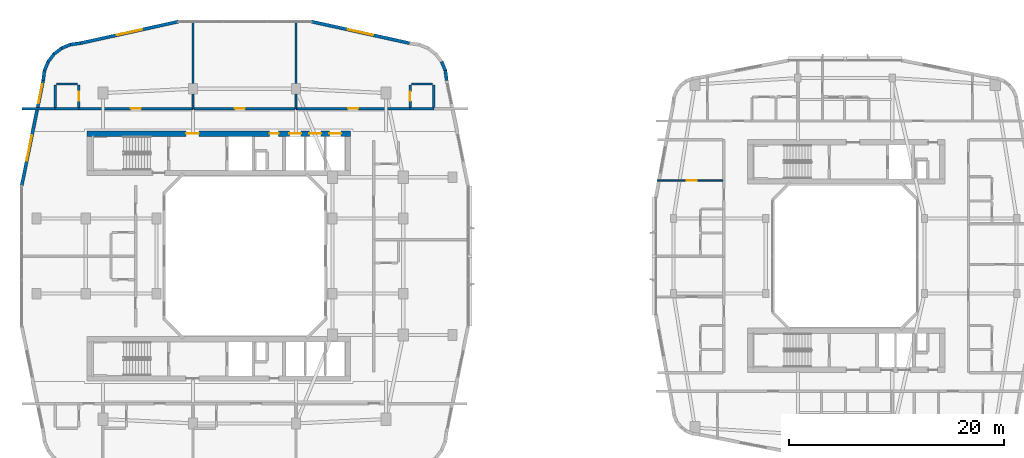
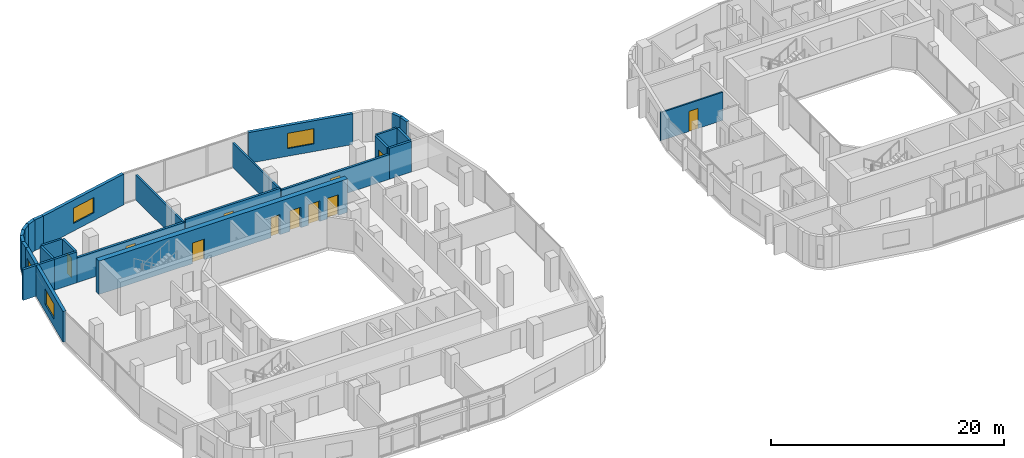
# One storey, part 15 of 25: 27 walls, 11 doors, 4 windows, 15 openings.
"""IFC4 building model written with IfcOpenShell, lengths in metres."""

from ifc_helpers import new_model, si_unit, derived_unit, direction, frame, frame_2d, origin, place, context, subcontext, project, spatial, rectangle, extrude, material, layer, layer_set, type_object, element, fill, save


model = new_model("IFC4")

# Units and contexts
model_context = context("Model", 3, precision=1e-05, world=origin(), true_north=direction((0.0, 1.0)))
body_context = subcontext(model_context, "Body", "Model", "MODEL_VIEW")
ifc_project = project(units=[si_unit("LENGTHUNIT", "METRE"), si_unit("AREAUNIT", "SQUARE_METRE"), si_unit("VOLUMEUNIT", "CUBIC_METRE"), si_unit("PLANEANGLEUNIT", "RADIAN"), si_unit("MASSUNIT", "GRAM", prefix="KILO"), derived_unit("THERMALTRANSMITTANCEUNIT", [(si_unit("POWERUNIT", "WATT"), 1), (si_unit("LENGTHUNIT", "METRE"), -2), (si_unit("THERMODYNAMICTEMPERATUREUNIT", "KELVIN"), -1)])], contexts=[model_context])

# Site, building, storey
site_placement = place(None, origin())
site = spatial("IfcSite", under=ifc_project, at=site_placement, CompositionType="ELEMENT")
building_placement = place(site_placement, origin())
building = spatial("IfcBuilding", under=site, at=building_placement, Name="Kivonza Crest Hotel", CompositionType="ELEMENT")
storey_placement = place(building_placement, frame((0.0, 0.0, 83.5)))
storey = spatial("IfcBuildingStorey", under=building, at=storey_placement, Name="L22", CompositionType="ELEMENT", Elevation=83.5)

# Walls
ifc_material_1 = material(Name="High-density acoustic masonry inter-tenancy wall", Category="masonry")
ifc_layer_1 = layer(ifc_material_1, 0.179931640625)
ifc_layer_set_1 = layer_set([ifc_layer_1], Name="High-density acoustic masonry inter-tenancy wall")
wall_type_1 = type_object("IfcWallType", Name="WL-ACOU-180", PredefinedType="SOLIDWALL", material=ifc_layer_set_1)
for number, where, z_axis, x_axis, name in (
    (1, (16.199951171875, 38.75, 0.0), (0.0, 0.0, 1.0), (0.0, 1.0, 0.0), "L22 interior partition WA-L22-T1N-DIV1"),
    (2, (25.800048828125, 38.75, 0.0), (0.0, 0.0, 1.0), (0.0, 1.0, 0.0), "L22 interior partition WA-L22-T1N-DIV2"),
):
    element("IfcWall", number, at=place(storey_placement, frame(where, z_axis=z_axis, x_axis=x_axis)), inside=storey, type_object=wall_type_1, Name=name, PredefinedType="SOLIDWALL", context=body_context, shape_type="SweptSolid", body=[
        extrude(rectangle(XDim=8.18994140625, YDim=0.179931640625, at=frame_2d((4.094970703125, 0.0))), origin(), (0.0, 0.0, 1.0), 2.594970703125),
    ])
ifc_material_2 = material(Name="Autoclaved aerated concrete blockwork", Category="masonry")
ifc_layer_2 = layer(ifc_material_2, 0.219970703125)
ifc_layer_set_2 = layer_set([ifc_layer_2], Name="Autoclaved aerated concrete blockwork")
wall_type_2 = type_object("IfcWallType", Name="WL-ACOU-220", PredefinedType="SOLIDWALL", material=ifc_layer_set_2)
wall_1_placement = place(storey_placement, frame((0.239990234375, 38.75, 0.0), z_axis=(0.0, 0.0, 1.0), x_axis=(1.0, 0.0, 0.0)))
element("IfcWall", 3, at=wall_1_placement, inside=storey, type_object=wall_type_2, Name="L22 interior partition WA-L22-N01-XCORR", PredefinedType="SOLIDWALL", context=body_context, shape_type="SweptSolid", body=[
    extrude(rectangle(XDim=3.110107421875, YDim=0.219970703125, at=frame_2d((1.55517578125, 0.0))), origin(), (0.0, 0.0, 1.0), 3.219970703125),
])
wall_2_placement = place(storey_placement, frame((3.35009765625, 38.75, 0.0), z_axis=(0.0, 0.0, 1.0), x_axis=(1.0, 0.0, 0.0)))
element("IfcWall", 4, at=wall_2_placement, inside=storey, type_object=wall_type_2, Name="L22 interior partition WA-L22-N01-BCORR", PredefinedType="SOLIDWALL", context=body_context, shape_type="SweptSolid", body=[
    extrude(rectangle(XDim=2.199951171875, YDim=0.219970703125, at=frame_2d((1.10009765625, 0.0))), origin(), (0.0, 0.0, 1.0), 3.219970703125),
])

# Wall, opening, door
wall_3_placement = place(storey_placement, frame((5.550048828125, 38.75, 0.0), z_axis=(0.0, 0.0, 1.0), x_axis=(1.0, 0.0, 0.0)))
wall_3 = element("IfcWall", 5, at=wall_3_placement, inside=storey, type_object=wall_type_2, Name="L22 interior partition WA-L22-N01-MCORR", PredefinedType="SOLIDWALL", context=body_context, shape_type="SweptSolid", body=[
    extrude(rectangle(XDim=10.64990234375, YDim=0.219970703125, at=frame_2d((5.324951171875, 0.0))), origin(), (0.0, 0.0, 1.0), 2.594970703125),
])
opening_1_placement = place(wall_3_placement, frame((4.85009765625, 0.0, 0.0)))
opening_1 = element("IfcOpeningElement", 6, at=opening_1_placement, cuts=wall_3, Name="Opening DU-60", PredefinedType="OPENING", context=body_context, shape_type="SweptSolid", body=[
    extrude(rectangle(XDim=0.949951171875, YDim=2.10009765625, at=frame_2d((0.47509765625, 1.050048828125))), frame((0.0, 0.1201171875, 0.0), z_axis=(0.0, -1.0, 0.0), x_axis=(1.0, 0.0, 0.0)), (0.0, 0.0, 1.0), 0.239990234375),
])
ifc_material_3 = material(Name="Hardwood timber oak", Category="wood")
door_type_1 = type_object("IfcDoorType", Name="DR-UNIT-950", OperationType="NOTDEFINED", PredefinedType="DOOR", material=ifc_material_3)
door_1_placement = place(opening_1_placement, origin())
door_1 = element("IfcDoor", 7, at=door_1_placement, inside=storey, type_object=door_type_1, Name="L22 N01 guest unit entrance fire door", OperationType="SINGLE_SWING_LEFT", OverallHeight=2.10009765625, OverallWidth=0.949951171875, PredefinedType="DOOR", context=body_context, shape_type="SweptSolid", body=[
    extrude(rectangle(XDim=0.949951171875, YDim=2.10009765625, at=frame_2d((0.47509765625, 1.050048828125))), frame((0.0, 0.02490234375, 0.0), z_axis=(0.0, -1.0, 0.0), x_axis=(1.0, 0.0, 0.0)), (0.0, 0.0, 1.0), 0.050048828125),
])
fill(opening_1, door_1)

wall_4_placement = place(storey_placement, frame((16.300048828125, 38.75, 0.0), z_axis=(0.0, 0.0, 1.0), x_axis=(1.0, 0.0, 0.0)))
wall_4 = element("IfcWall", 8, at=wall_4_placement, inside=storey, type_object=wall_type_2, Name="L22 interior partition WA-L22-HK-MAIN-S", PredefinedType="SOLIDWALL", context=body_context, shape_type="SweptSolid", body=[
    extrude(rectangle(XDim=9.39990234375, YDim=0.219970703125, at=frame_2d((4.699951171875, 0.0))), origin(), (0.0, 0.0, 1.0), 2.8349609375),
])
opening_2_placement = place(wall_4_placement, frame((3.79296875, 0.0, 0.0)))
opening_2 = element("IfcOpeningElement", 9, at=opening_2_placement, cuts=wall_4, Name="Opening DF-60S", PredefinedType="OPENING", context=body_context, shape_type="SweptSolid", body=[
    extrude(rectangle(XDim=0.949951171875, YDim=2.10009765625, at=frame_2d((0.47509765625, 1.050048828125))), frame((0.0, 0.1201171875, 0.0), z_axis=(0.0, -1.0, 0.0), x_axis=(1.0, 0.0, 0.0)), (0.0, 0.0, 1.0), 0.239990234375),
])
door_type_2 = type_object("IfcDoorType", Name="DR-FD60-950", OperationType="NOTDEFINED", PredefinedType="DOOR", material=ifc_material_3)
door_2_placement = place(opening_2_placement, origin())
door_2 = element("IfcDoor", 10, at=door_2_placement, inside=storey, type_object=door_type_2, Name="L22 Housekeeping and Linen Room door", OperationType="SINGLE_SWING_RIGHT", OverallHeight=2.10009765625, OverallWidth=0.949951171875, PredefinedType="DOOR", context=body_context, shape_type="SweptSolid", body=[
    extrude(rectangle(XDim=0.949951171875, YDim=2.10009765625, at=frame_2d((0.47509765625, 1.050048828125))), frame((0.0, 0.02490234375, 0.0), z_axis=(0.0, -1.0, 0.0), x_axis=(1.0, 0.0, 0.0)), (0.0, 0.0, 1.0), 0.050048828125),
])
fill(opening_2, door_2)

# Wall
wall_5_placement = place(storey_placement, frame((36.449951171875, 38.75, 0.0), z_axis=(0.0, 0.0, 1.0), x_axis=(1.0, 0.0, 0.0)))
element("IfcWall", 11, at=wall_5_placement, inside=storey, type_object=wall_type_2, Name="L22 interior partition WA-L22-N02-BCORR", PredefinedType="SOLIDWALL", context=body_context, shape_type="SweptSolid", body=[
    extrude(rectangle(XDim=2.199951171875, YDim=0.219970703125, at=frame_2d((1.10009765625, 0.0))), origin(), (0.0, 0.0, 1.0), 3.219970703125),
])

# Wall, opening, door
wall_6_placement = place(storey_placement, frame((25.800048828125, 38.75, 0.0), z_axis=(0.0, 0.0, 1.0), x_axis=(1.0, 0.0, 0.0)))
wall_6 = element("IfcWall", 12, at=wall_6_placement, inside=storey, type_object=wall_type_2, Name="L22 interior partition WA-L22-N02-MCORR", PredefinedType="SOLIDWALL", context=body_context, shape_type="SweptSolid", body=[
    extrude(rectangle(XDim=10.64990234375, YDim=0.219970703125, at=frame_2d((5.324951171875, 0.0))), origin(), (0.0, 0.0, 1.0), 2.594970703125),
])
opening_3_placement = place(wall_6_placement, frame((4.85009765625, 0.0, 0.0)))
opening_3 = element("IfcOpeningElement", 13, at=opening_3_placement, cuts=wall_6, Name="Opening DU-60", PredefinedType="OPENING", context=body_context, shape_type="SweptSolid", body=[
    extrude(rectangle(XDim=0.949951171875, YDim=2.10009765625, at=frame_2d((0.47509765625, 1.050048828125))), frame((0.0, 0.1201171875, 0.0), z_axis=(0.0, -1.0, 0.0), x_axis=(1.0, 0.0, 0.0)), (0.0, 0.0, 1.0), 0.239990234375),
])
door_3_placement = place(opening_3_placement, origin())
door_3 = element("IfcDoor", 14, at=door_3_placement, inside=storey, type_object=door_type_1, Name="L22 N02 guest unit entrance fire door", OperationType="SINGLE_SWING_RIGHT", OverallHeight=2.10009765625, OverallWidth=0.949951171875, PredefinedType="DOOR", context=body_context, shape_type="SweptSolid", body=[
    extrude(rectangle(XDim=0.949951171875, YDim=2.10009765625, at=frame_2d((0.47509765625, 1.050048828125))), frame((0.0, 0.02490234375, 0.0), z_axis=(0.0, -1.0, 0.0), x_axis=(1.0, 0.0, 0.0)), (0.0, 0.0, 1.0), 0.050048828125),
])
fill(opening_3, door_3)

# Wall, openings, doors
ifc_material_4 = material(Name="Concrete C60/75", Category="concrete")
ifc_layer_3 = layer(ifc_material_4, 0.5)
ifc_layer_set_3 = layer_set([ifc_layer_3], Name="Concrete C60/75")
wall_type_3 = type_object("IfcWallType", Name="WL-CORE-500", PredefinedType="SHEAR", material=ifc_layer_set_3)
wall_7_placement = place(storey_placement, frame((6.300048828125, 36.409912109375, 0.0), z_axis=(0.0, 0.0, 1.0), x_axis=(1.0, 0.0, 0.0)))
wall_7 = element("IfcWall", 15, at=wall_7_placement, inside=storey, type_object=wall_type_3, Name="Core wall T1-N North L22", PredefinedType="SHEAR", context=body_context, shape_type="SweptSolid", body=[
    extrude(rectangle(XDim=24.599853515625, YDim=0.5, at=frame_2d((12.2998046875, 0.0))), origin(), (0.0, 0.0, 1.0), 3.5),
])
opening_4_placement = place(wall_7_placement, frame((9.25, 0.0, 0.0)))
opening_4 = element("IfcOpeningElement", 16, at=opening_4_placement, cuts=wall_7, Name="Opening DF-60", PredefinedType="OPENING", context=body_context, shape_type="SweptSolid", body=[
    extrude(rectangle(XDim=1.199951171875, YDim=2.14990234375, at=frame_2d((0.60009765625, 1.074951171875))), frame((0.0, 0.260009765625, 0.0), z_axis=(0.0, -1.0, 0.0), x_axis=(1.0, 0.0, 0.0)), (0.0, 0.0, 1.0), 0.52001953125),
])
opening_5_placement = place(wall_7_placement, frame((17.0400390625, 0.0, 0.0)))
opening_5 = element("IfcOpeningElement", 17, at=opening_5_placement, cuts=wall_7, Name="Opening DF-60R", PredefinedType="OPENING", context=body_context, shape_type="SweptSolid", body=[
    extrude(rectangle(XDim=0.85009765625, YDim=2.10009765625, at=frame_2d((0.425048828125, 1.050048828125))), frame((0.0, 0.260009765625, 0.0), z_axis=(0.0, -1.0, 0.0), x_axis=(1.0, 0.0, 0.0)), (0.0, 0.0, 1.0), 0.52001953125),
])
opening_6_placement = place(wall_7_placement, frame((18.883056640625, 0.0, 0.0)))
opening_6 = element("IfcOpeningElement", 18, at=opening_6_placement, cuts=wall_7, Name="Opening LD-120", PredefinedType="OPENING", context=body_context, shape_type="SweptSolid", body=[
    extrude(rectangle(XDim=1.10009765625, YDim=2.14990234375, at=frame_2d((0.550048828125, 1.074951171875))), frame((0.0, 0.260009765625, 0.0), z_axis=(0.0, -1.0, 0.0), x_axis=(1.0, 0.0, 0.0)), (0.0, 0.0, 1.0), 0.52001953125),
])
opening_7_placement = place(wall_7_placement, frame((20.75, 0.0, 0.0)))
opening_7 = element("IfcOpeningElement", 19, at=opening_7_placement, cuts=wall_7, Name="Opening LD-120", PredefinedType="OPENING", context=body_context, shape_type="SweptSolid", body=[
    extrude(rectangle(XDim=1.10009765625, YDim=2.14990234375, at=frame_2d((0.550048828125, 1.074951171875))), frame((0.0, 0.260009765625, 0.0), z_axis=(0.0, -1.0, 0.0), x_axis=(1.0, 0.0, 0.0)), (0.0, 0.0, 1.0), 0.52001953125),
])
opening_8_placement = place(wall_7_placement, frame((22.615966796875, 0.0, 0.0)))
opening_8 = element("IfcOpeningElement", 20, at=opening_8_placement, cuts=wall_7, Name="Opening LD-120", PredefinedType="OPENING", context=body_context, shape_type="SweptSolid", body=[
    extrude(rectangle(XDim=1.10009765625, YDim=2.14990234375, at=frame_2d((0.550048828125, 1.074951171875))), frame((0.0, 0.260009765625, 0.0), z_axis=(0.0, -1.0, 0.0), x_axis=(1.0, 0.0, 0.0)), (0.0, 0.0, 1.0), 0.52001953125),
])
door_type_3 = type_object("IfcDoorType", Name="DR-FD60-1200", OperationType="NOTDEFINED", PredefinedType="DOOR", material=ifc_material_3)
door_4_placement = place(opening_4_placement, origin())
door_4 = element("IfcDoor", 21, at=door_4_placement, inside=storey, type_object=door_type_3, Name="L22 T1-N firefighting lobby fire door", OperationType="SINGLE_SWING_RIGHT", OverallHeight=2.14990234375, OverallWidth=1.199951171875, PredefinedType="DOOR", context=body_context, shape_type="SweptSolid", body=[
    extrude(rectangle(XDim=1.199951171875, YDim=2.14990234375, at=frame_2d((0.60009765625, 1.074951171875))), frame((0.0, 0.02490234375, 0.0), z_axis=(0.0, -1.0, 0.0), x_axis=(1.0, 0.0, 0.0)), (0.0, 0.0, 1.0), 0.050048828125),
])
fill(opening_4, door_4)
door_type_4 = type_object("IfcDoorType", Name="DR-FD60-850", OperationType="NOTDEFINED", PredefinedType="DOOR", material=ifc_material_3)
door_5_placement = place(opening_5_placement, origin())
door_5 = element("IfcDoor", 22, at=door_5_placement, inside=storey, type_object=door_type_4, Name="L22 T1-N core room door", OperationType="SINGLE_SWING_RIGHT", OverallHeight=2.10009765625, OverallWidth=0.85009765625, PredefinedType="DOOR", context=body_context, shape_type="SweptSolid", body=[
    extrude(rectangle(XDim=0.85009765625, YDim=2.10009765625, at=frame_2d((0.425048828125, 1.050048828125))), frame((0.0, 0.02490234375, 0.0), z_axis=(0.0, -1.0, 0.0), x_axis=(1.0, 0.0, 0.0)), (0.0, 0.0, 1.0), 0.050048828125),
])
fill(opening_5, door_5)
ifc_material_5 = material(Name="Stainless steel", Category="steel")
door_type_5 = type_object("IfcDoorType", Name="DR-LD120-1100", OperationType="NOTDEFINED", PredefinedType="DOOR", material=ifc_material_5)
door_6_placement = place(opening_6_placement, origin())
door_6 = element("IfcDoor", 23, at=door_6_placement, inside=storey, type_object=door_type_5, Name="L22 PL-T1-L1 passenger lift sliding landing door", OperationType="DOUBLE_DOOR_SLIDING", OverallHeight=2.14990234375, OverallWidth=1.10009765625, PredefinedType="DOOR", context=body_context, shape_type="SweptSolid", body=[
    extrude(rectangle(XDim=1.10009765625, YDim=2.14990234375, at=frame_2d((0.550048828125, 1.074951171875))), frame((0.0, 0.02490234375, 0.0), z_axis=(0.0, -1.0, 0.0), x_axis=(1.0, 0.0, 0.0)), (0.0, 0.0, 1.0), 0.050048828125),
])
fill(opening_6, door_6)
door_7_placement = place(opening_7_placement, origin())
door_7 = element("IfcDoor", 24, at=door_7_placement, inside=storey, type_object=door_type_5, Name="L22 PL-T1-L2 passenger lift sliding landing door", OperationType="DOUBLE_DOOR_SLIDING", OverallHeight=2.14990234375, OverallWidth=1.10009765625, PredefinedType="DOOR", context=body_context, shape_type="SweptSolid", body=[
    extrude(rectangle(XDim=1.10009765625, YDim=2.14990234375, at=frame_2d((0.550048828125, 1.074951171875))), frame((0.0, 0.02490234375, 0.0), z_axis=(0.0, -1.0, 0.0), x_axis=(1.0, 0.0, 0.0)), (0.0, 0.0, 1.0), 0.050048828125),
])
fill(opening_7, door_7)
door_8_placement = place(opening_8_placement, origin())
door_8 = element("IfcDoor", 25, at=door_8_placement, inside=storey, type_object=door_type_5, Name="L22 PL-T1-L3 passenger lift sliding landing door", OperationType="DOUBLE_DOOR_SLIDING", OverallHeight=2.14990234375, OverallWidth=1.10009765625, PredefinedType="DOOR", context=body_context, shape_type="SweptSolid", body=[
    extrude(rectangle(XDim=1.10009765625, YDim=2.14990234375, at=frame_2d((0.550048828125, 1.074951171875))), frame((0.0, 0.02490234375, 0.0), z_axis=(0.0, -1.0, 0.0), x_axis=(1.0, 0.0, 0.0)), (0.0, 0.0, 1.0), 0.050048828125),
])
fill(opening_8, door_8)

# Walls
ifc_material_6 = material(Name="Precast concrete C40/50", Category="concrete")
ifc_layer_4 = layer(ifc_material_6, 0.300048828125)
ifc_layer_set_4 = layer_set([ifc_layer_4], Name="Precast concrete C40/50")
wall_type_4 = type_object("IfcWallType", Name="WL-EXT-300", PredefinedType="STANDARD", material=ifc_layer_set_4)
wall_8_placement = place(storey_placement, frame((39.85205078125, 41.3720703125, 0.0), z_axis=(0.0, 0.0, 1.0), x_axis=(-0.131174864804, 0.991359246108, 0.0)))
element("IfcWall", 26, at=wall_8_placement, inside=storey, type_object=wall_type_4, Name="L22 T1 exterior insulated wall 19", PredefinedType="STANDARD", context=body_context, shape_type="SweptSolid", body=[
    extrude(rectangle(XDim=0.93798828125, YDim=0.300048828125, at=frame_2d((0.468994140625, 0.0))), origin(), (0.0, 0.0, 1.0), 3.219970703125),
])
wall_9_placement = place(storey_placement, frame((39.748046875, 42.251953125, 0.0), z_axis=(0.0, 0.0, 1.0), x_axis=(-0.382344263057, 0.924019948111, 0.0)))
element("IfcWall", 27, at=wall_9_placement, inside=storey, type_object=wall_type_4, Name="L22 T1 exterior insulated wall 20", PredefinedType="STANDARD", context=body_context, shape_type="SweptSolid", body=[
    extrude(rectangle(XDim=0.95458984375, YDim=0.300048828125, at=frame_2d((0.477294921875, 0.0))), origin(), (0.0, 0.0, 1.0), 3.219970703125),
])

# Wall, opening, window
wall_10_placement = place(storey_placement, frame((36.3759765625, 44.85205078125, 0.0), z_axis=(0.0, 0.0, 1.0), x_axis=(-0.97654500432, 0.215313386808, 0.0)))
wall_10 = element("IfcWall", 28, at=wall_10_placement, inside=storey, type_object=wall_type_4, Name="L22 T1 exterior insulated wall 25", PredefinedType="STANDARD", context=body_context, shape_type="SweptSolid", body=[
    extrude(rectangle(XDim=9.353515625, YDim=0.300048828125, at=frame_2d((4.6767578125, 0.0))), origin(), (0.0, 0.0, 1.0), 3.219970703125),
])
opening_9_placement = place(wall_10_placement, frame((3.47705078125, 0.0, 0.800048828125)))
opening_9 = element("IfcOpeningElement", 29, at=opening_9_placement, cuts=wall_10, Name="Opening WN-05", PredefinedType="OPENING", context=body_context, shape_type="SweptSolid", body=[
    extrude(rectangle(XDim=2.39990234375, YDim=1.60009765625, at=frame_2d((1.199951171875, 0.800048828125))), frame((0.0, 0.16015625, 0.0), z_axis=(0.0, -1.0, 0.0), x_axis=(1.0, 0.0, 0.0)), (0.0, 0.0, 1.0), 0.320068359375),
])
ifc_material_7 = material(Name="Thermally broken bronze aluminium and low-E double glazing", Category="aluminium")
window_type_1 = type_object("IfcWindowType", Name="WN-240x160", PartitioningType="TRIPLE_PANEL_VERTICAL", PredefinedType="WINDOW", material=ifc_material_7)
window_1_placement = place(opening_9_placement, origin())
window_1 = element("IfcWindow", 30, at=window_1_placement, inside=storey, type_object=window_type_1, Name="L22 T1 facade window 25", OverallHeight=1.60009765625, OverallWidth=2.39990234375, PartitioningType="SINGLE_PANEL", PredefinedType="WINDOW", context=body_context, shape_type="SweptSolid", body=[
    extrude(rectangle(XDim=2.39990234375, YDim=1.60009765625, at=frame_2d((1.199951171875, 0.800048828125))), frame((0.0, 0.030029296875, 0.0), z_axis=(0.0, -1.0, 0.0), x_axis=(1.0, 0.0, 0.0)), (0.0, 0.0, 1.0), 0.06005859375),
])
fill(opening_9, window_1)

wall_11_placement = place(storey_placement, frame((14.837890625, 46.865966796875, 0.0), z_axis=(0.0, 0.0, 1.0), x_axis=(-0.9765437942, -0.215318875183, 0.0)))
wall_11 = element("IfcWall", 31, at=wall_11_placement, inside=storey, type_object=wall_type_4, Name="L22 T1 exterior insulated wall 27", PredefinedType="STANDARD", context=body_context, shape_type="SweptSolid", body=[
    extrude(rectangle(XDim=9.353271484375, YDim=0.300048828125, at=frame_2d((4.6767578125, 0.0))), origin(), (0.0, 0.0, 1.0), 3.219970703125),
])
opening_10_placement = place(wall_11_placement, frame((3.47705078125, 0.0, 0.800048828125)))
opening_10 = element("IfcOpeningElement", 32, at=opening_10_placement, cuts=wall_11, Name="Opening WN-05", PredefinedType="OPENING", context=body_context, shape_type="SweptSolid", body=[
    extrude(rectangle(XDim=2.39990234375, YDim=1.60009765625, at=frame_2d((1.199951171875, 0.800048828125))), frame((0.0, 0.16015625, 0.0), z_axis=(0.0, -1.0, 0.0), x_axis=(1.0, 0.0, 0.0)), (0.0, 0.0, 1.0), 0.320068359375),
])
window_2_placement = place(opening_10_placement, origin())
window_2 = element("IfcWindow", 33, at=window_2_placement, inside=storey, type_object=window_type_1, Name="L22 T1 facade window 27", OverallHeight=1.60009765625, OverallWidth=2.39990234375, PartitioningType="SINGLE_PANEL", PredefinedType="WINDOW", context=body_context, shape_type="SweptSolid", body=[
    extrude(rectangle(XDim=2.39990234375, YDim=1.60009765625, at=frame_2d((1.199951171875, 0.800048828125))), frame((0.0, 0.030029296875, 0.0), z_axis=(0.0, -1.0, 0.0), x_axis=(1.0, 0.0, 0.0)), (0.0, 0.0, 1.0), 0.06005859375),
])
fill(opening_10, window_2)

# Walls
wall_12_placement = place(storey_placement, frame((5.7080078125, 44.85205078125, 0.0), z_axis=(0.0, 0.0, 1.0), x_axis=(-0.991359246108, -0.131174864804, 0.0)))
element("IfcWall", 34, at=wall_12_placement, inside=storey, type_object=wall_type_4, Name="L22 T1 exterior insulated wall 28", PredefinedType="STANDARD", context=body_context, shape_type="SweptSolid", body=[
    extrude(rectangle(XDim=0.93798828125, YDim=0.300048828125, at=frame_2d((0.468994140625, 0.0))), origin(), (0.0, 0.0, 1.0), 3.219970703125),
])
wall_13_placement = place(storey_placement, frame((4.827880859375, 44.748046875, 0.0), z_axis=(0.0, 0.0, 1.0), x_axis=(-0.923982547689, -0.382434636986, 0.0)))
element("IfcWall", 35, at=wall_13_placement, inside=storey, type_object=wall_type_4, Name="L22 T1 exterior insulated wall 29", PredefinedType="STANDARD", context=body_context, shape_type="SweptSolid", body=[
    extrude(rectangle(XDim=0.954345703125, YDim=0.300048828125, at=frame_2d((0.47705078125, 0.0))), origin(), (0.0, 0.0, 1.0), 3.219970703125),
])
for number, where, z_axis, x_axis, name in (
    (36, (3.990966796875, 44.4140625, 0.0), (0.0, 0.0, 1.0), (-0.793668068435, -0.608351047625, 0.0), "L22 T1 exterior insulated wall 30"),
    (37, (3.26806640625, 43.875, 0.0), (0.0, 0.0, 1.0), (-0.608351047625, -0.793668068435, 0.0), "L22 T1 exterior insulated wall 31"),
):
    element("IfcWall", number, at=place(storey_placement, frame(where, z_axis=z_axis, x_axis=x_axis)), inside=storey, type_object=wall_type_4, Name=name, PredefinedType="STANDARD", context=body_context, shape_type="SweptSolid", body=[
        extrude(rectangle(XDim=0.955078125, YDim=0.300048828125, at=frame_2d((0.4775390625, 0.0))), origin(), (0.0, 0.0, 1.0), 3.219970703125),
    ])
wall_14_placement = place(storey_placement, frame((2.7109375, 43.166015625, 0.0), z_axis=(0.0, 0.0, 1.0), x_axis=(-0.382344263057, -0.924019948111, 0.0)))
element("IfcWall", 38, at=wall_14_placement, inside=storey, type_object=wall_type_4, Name="L22 T1 exterior insulated wall 32", PredefinedType="STANDARD", context=body_context, shape_type="SweptSolid", body=[
    extrude(rectangle(XDim=0.95458984375, YDim=0.300048828125, at=frame_2d((0.477294921875, 0.0))), origin(), (0.0, 0.0, 1.0), 3.219970703125),
])
wall_15_placement = place(storey_placement, frame((2.35498046875, 42.3369140625, 0.0), z_axis=(0.0, 0.0, 1.0), x_axis=(-0.130454512571, -0.991454295543, 0.0)))
element("IfcWall", 39, at=wall_15_placement, inside=storey, type_object=wall_type_4, Name="L22 T1 exterior insulated wall 33", PredefinedType="STANDARD", context=body_context, shape_type="SweptSolid", body=[
    extrude(rectangle(XDim=0.97314453125, YDim=0.300048828125, at=frame_2d((0.486572265625, 0.0))), origin(), (0.0, 0.0, 1.0), 3.219970703125),
])

# Wall, openings, windows
wall_16_placement = place(storey_placement, frame((2.22900390625, 41.3779296875, 0.0), z_axis=(0.0, 0.0, 1.0), x_axis=(-0.199990901713, -0.979797754249, 0.0)))
wall_16 = element("IfcWall", 40, at=wall_16_placement, inside=storey, type_object=wall_type_4, Name="L22 T1 exterior insulated wall 34", PredefinedType="STANDARD", context=body_context, shape_type="SweptSolid", body=[
    extrude(rectangle(XDim=10.065185546875, YDim=0.300048828125, at=frame_2d((5.03271484375, 0.0))), origin(), (0.0, 0.0, 1.0), 3.219970703125),
])
opening_11_placement = place(wall_16_placement, frame((0.3779296875, 0.0, 0.85009765625)))
opening_11 = element("IfcOpeningElement", 41, at=opening_11_placement, cuts=wall_16, Name="Opening WN-03", PredefinedType="OPENING", context=body_context, shape_type="SweptSolid", body=[
    extrude(rectangle(XDim=1.800048828125, YDim=1.5, at=frame_2d((0.89990234375, 0.75))), frame((0.0, 0.16015625, 0.0), z_axis=(0.0, -1.0, 0.0), x_axis=(1.0, 0.0, 0.0)), (0.0, 0.0, 1.0), 0.320068359375),
])
opening_12_placement = place(wall_16_placement, frame((5.236083984375, 0.0, 0.800048828125)))
opening_12 = element("IfcOpeningElement", 42, at=opening_12_placement, cuts=wall_16, Name="Opening WN-05", PredefinedType="OPENING", context=body_context, shape_type="SweptSolid", body=[
    extrude(rectangle(XDim=2.39990234375, YDim=1.60009765625, at=frame_2d((1.199951171875, 0.800048828125))), frame((0.0, 0.16015625, 0.0), z_axis=(0.0, -1.0, 0.0), x_axis=(1.0, 0.0, 0.0)), (0.0, 0.0, 1.0), 0.320068359375),
])
window_type_2 = type_object("IfcWindowType", Name="WN-180x150", PartitioningType="DOUBLE_PANEL_VERTICAL", PredefinedType="WINDOW", material=ifc_material_7)
window_3_placement = place(opening_11_placement, origin())
window_3 = element("IfcWindow", 43, at=window_3_placement, inside=storey, type_object=window_type_2, Name="L22 T1 facade window 34 bay 1", OverallHeight=1.5, OverallWidth=1.800048828125, PartitioningType="SINGLE_PANEL", PredefinedType="WINDOW", context=body_context, shape_type="SweptSolid", body=[
    extrude(rectangle(XDim=1.800048828125, YDim=1.5, at=frame_2d((0.89990234375, 0.75))), frame((0.0, 0.030029296875, 0.0), z_axis=(0.0, -1.0, 0.0), x_axis=(1.0, 0.0, 0.0)), (0.0, 0.0, 1.0), 0.06005859375),
])
fill(opening_11, window_3)
window_4_placement = place(opening_12_placement, origin())
window_4 = element("IfcWindow", 44, at=window_4_placement, inside=storey, type_object=window_type_1, Name="L22 T1 facade window 34 bay 2", OverallHeight=1.60009765625, OverallWidth=2.39990234375, PartitioningType="SINGLE_PANEL", PredefinedType="WINDOW", context=body_context, shape_type="SweptSolid", body=[
    extrude(rectangle(XDim=2.39990234375, YDim=1.60009765625, at=frame_2d((1.199951171875, 0.800048828125))), frame((0.0, 0.030029296875, 0.0), z_axis=(0.0, -1.0, 0.0), x_axis=(1.0, 0.0, 0.0)), (0.0, 0.0, 1.0), 0.06005859375),
])
fill(opening_12, window_4)

# Wall, opening, door
ifc_material_8 = material(Name="Twin-stud acoustic gypsum board partition", Category="gypsum")
ifc_layer_5 = layer(ifc_material_8, 0.14990234375)
ifc_layer_set_5 = layer_set([ifc_layer_5], Name="Twin-stud acoustic gypsum board partition")
wall_type_5 = type_object("IfcWallType", Name="WL-PART-150", PredefinedType="PARTITIONING", material=ifc_layer_set_5)
wall_17_placement = place(storey_placement, frame((59.4599609375, 32.06005859375, 0.0), z_axis=(0.0, 0.0, 1.0), x_axis=(1.0, 0.0, 0.0)))
wall_17 = element("IfcWall", 45, at=wall_17_placement, inside=storey, type_object=wall_type_5, Name="L22 interior partition WP-L22-A06-BD1", PredefinedType="PARTITIONING", context=body_context, shape_type="SweptSolid", body=[
    extrude(rectangle(XDim=6.14013671875, YDim=0.14990234375, at=frame_2d((3.070068359375, 0.0))), origin(), (0.0, 0.0, 1.0), 2.945068359375),
])
opening_13_placement = place(wall_17_placement, frame((2.7900390625, 0.0, 0.0)))
opening_13 = element("IfcOpeningElement", 46, at=opening_13_placement, cuts=wall_17, Name="Opening DI-90", PredefinedType="OPENING", context=body_context, shape_type="SweptSolid", body=[
    extrude(rectangle(XDim=0.89990234375, YDim=2.10009765625, at=frame_2d((0.449951171875, 1.050048828125))), frame((0.0, 0.0849609375, 0.0), z_axis=(0.0, -1.0, 0.0), x_axis=(1.0, 0.0, 0.0)), (0.0, 0.0, 1.0), 0.169921875),
])
door_type_6 = type_object("IfcDoorType", Name="DR-INT-900", OperationType="NOTDEFINED", PredefinedType="DOOR", material=ifc_material_3)
door_9_placement = place(opening_13_placement, origin())
door_9 = element("IfcDoor", 47, at=door_9_placement, inside=storey, type_object=door_type_6, Name="L22 A06 bedroom door", OperationType="SINGLE_SWING_LEFT", OverallHeight=2.10009765625, OverallWidth=0.89990234375, PredefinedType="DOOR", context=body_context, shape_type="SweptSolid", body=[
    extrude(rectangle(XDim=0.89990234375, YDim=2.10009765625, at=frame_2d((0.449951171875, 1.050048828125))), frame((0.0, 0.02490234375, 0.0), z_axis=(0.0, -1.0, 0.0), x_axis=(1.0, 0.0, 0.0)), (0.0, 0.0, 1.0), 0.050048828125),
])
fill(opening_13, door_9)

ifc_material_9 = material(Name="Moisture-resistant plumbing chase partition wall", Category="gypsum")
ifc_layer_6 = layer(ifc_material_9, 0.199951171875)
ifc_layer_set_6 = layer_set([ifc_layer_6], Name="Moisture-resistant plumbing chase partition wall")
wall_type_6 = type_object("IfcWallType", Name="WL-PLUMB-200", PredefinedType="PLUMBINGWALL", material=ifc_layer_set_6)
wall_18_placement = place(storey_placement, frame((5.550048828125, 38.85009765625, 0.0), z_axis=(0.0, 0.0, 1.0), x_axis=(0.0, 1.0, 0.0)))
wall_18 = element("IfcWall", 48, at=wall_18_placement, inside=storey, type_object=wall_type_6, Name="L22 interior partition WW-L22-N01-BV", PredefinedType="PLUMBINGWALL", context=body_context, shape_type="SweptSolid", body=[
    extrude(rectangle(XDim=2.099853515625, YDim=0.199951171875, at=frame_2d((1.0498046875, 0.0))), origin(), (0.0, 0.0, 1.0), 3.219970703125),
])
opening_14_placement = place(wall_18_placement, frame((0.625, 0.0, 0.0)))
opening_14 = element("IfcOpeningElement", 49, at=opening_14_placement, cuts=wall_18, Name="Opening DI-85", PredefinedType="OPENING", context=body_context, shape_type="SweptSolid", body=[
    extrude(rectangle(XDim=0.85009765625, YDim=2.10009765625, at=frame_2d((0.425048828125, 1.050048828125))), frame((0.0, 0.10986328125, 0.0), z_axis=(0.0, -1.0, 0.0), x_axis=(1.0, 0.0, 0.0)), (0.0, 0.0, 1.0), 0.219970703125),
])
door_type_7 = type_object("IfcDoorType", Name="DR-INT-850", OperationType="NOTDEFINED", PredefinedType="DOOR", material=ifc_material_3)
door_10_placement = place(opening_14_placement, frame((0.85009765625, 0.0, 0.0), z_axis=(0.0, 0.0, 1.0), x_axis=(-1.0, 0.0, 0.0)))
door_10 = element("IfcDoor", 50, at=door_10_placement, inside=storey, type_object=door_type_7, Name="L22 N01 en-suite bathroom door", OperationType="SINGLE_SWING_RIGHT", OverallHeight=2.10009765625, OverallWidth=0.85009765625, PredefinedType="DOOR", context=body_context, shape_type="SweptSolid", body=[
    extrude(rectangle(XDim=0.85009765625, YDim=2.10009765625, at=frame_2d((0.425048828125, 1.050048828125))), frame((0.0, 0.02490234375, 0.0), z_axis=(0.0, -1.0, 0.0), x_axis=(1.0, 0.0, 0.0)), (0.0, 0.0, 1.0), 0.050048828125),
])
fill(opening_14, door_10)

# Walls
wall_19_placement = place(storey_placement, frame((3.449951171875, 41.050048828125, 0.0), z_axis=(0.0, 0.0, 1.0), x_axis=(1.0, 0.0, 0.0)))
element("IfcWall", 51, at=wall_19_placement, inside=storey, type_object=wall_type_6, Name="L22 interior partition WW-L22-N01-BH", PredefinedType="PLUMBINGWALL", context=body_context, shape_type="SweptSolid", body=[
    extrude(rectangle(XDim=2.0, YDim=0.199951171875, at=frame_2d((1.0, 0.0))), origin(), (0.0, 0.0, 1.0), 3.219970703125),
])
wall_20_placement = place(storey_placement, frame((3.35009765625, 38.85009765625, 0.0), z_axis=(0.0, 0.0, 1.0), x_axis=(0.0, 1.0, 0.0)))
element("IfcWall", 52, at=wall_20_placement, inside=storey, type_object=wall_type_6, Name="L22 interior partition WW-L22-N01-BVW", PredefinedType="PLUMBINGWALL", context=body_context, shape_type="SweptSolid", body=[
    extrude(rectangle(XDim=2.099853515625, YDim=0.199951171875, at=frame_2d((1.0498046875, 0.0))), origin(), (0.0, 0.0, 1.0), 3.219970703125),
])

# Wall, opening, door
wall_21_placement = place(storey_placement, frame((36.449951171875, 38.85009765625, 0.0), z_axis=(0.0, 0.0, 1.0), x_axis=(0.0, 1.0, 0.0)))
wall_21 = element("IfcWall", 53, at=wall_21_placement, inside=storey, type_object=wall_type_6, Name="L22 interior partition WW-L22-N02-BV", PredefinedType="PLUMBINGWALL", context=body_context, shape_type="SweptSolid", body=[
    extrude(rectangle(XDim=2.099853515625, YDim=0.199951171875, at=frame_2d((1.0498046875, 0.0))), origin(), (0.0, 0.0, 1.0), 3.219970703125),
])
opening_15_placement = place(wall_21_placement, frame((0.625, 0.0, 0.0)))
opening_15 = element("IfcOpeningElement", 54, at=opening_15_placement, cuts=wall_21, Name="Opening DI-85", PredefinedType="OPENING", context=body_context, shape_type="SweptSolid", body=[
    extrude(rectangle(XDim=0.85009765625, YDim=2.10009765625, at=frame_2d((0.425048828125, 1.050048828125))), frame((0.0, 0.10986328125, 0.0), z_axis=(0.0, -1.0, 0.0), x_axis=(1.0, 0.0, 0.0)), (0.0, 0.0, 1.0), 0.219970703125),
])
door_11_placement = place(opening_15_placement, origin())
door_11 = element("IfcDoor", 55, at=door_11_placement, inside=storey, type_object=door_type_7, Name="L22 N02 en-suite bathroom door", OperationType="SINGLE_SWING_LEFT", OverallHeight=2.10009765625, OverallWidth=0.85009765625, PredefinedType="DOOR", context=body_context, shape_type="SweptSolid", body=[
    extrude(rectangle(XDim=0.85009765625, YDim=2.10009765625, at=frame_2d((0.425048828125, 1.050048828125))), frame((0.0, 0.02490234375, 0.0), z_axis=(0.0, -1.0, 0.0), x_axis=(1.0, 0.0, 0.0)), (0.0, 0.0, 1.0), 0.050048828125),
])
fill(opening_15, door_11)

# Walls
wall_22_placement = place(storey_placement, frame((36.550048828125, 41.050048828125, 0.0), z_axis=(0.0, 0.0, 1.0), x_axis=(1.0, 0.0, 0.0)))
element("IfcWall", 56, at=wall_22_placement, inside=storey, type_object=wall_type_6, Name="L22 interior partition WW-L22-N02-BH", PredefinedType="PLUMBINGWALL", context=body_context, shape_type="SweptSolid", body=[
    extrude(rectangle(XDim=2.0, YDim=0.199951171875, at=frame_2d((1.0, 0.0))), origin(), (0.0, 0.0, 1.0), 3.219970703125),
])
wall_23_placement = place(storey_placement, frame((38.64990234375, 38.85009765625, 0.0), z_axis=(0.0, 0.0, 1.0), x_axis=(0.0, 1.0, 0.0)))
element("IfcWall", 57, at=wall_23_placement, inside=storey, type_object=wall_type_6, Name="L22 interior partition WW-L22-N02-BVE", PredefinedType="PLUMBINGWALL", context=body_context, shape_type="SweptSolid", body=[
    extrude(rectangle(XDim=2.099853515625, YDim=0.199951171875, at=frame_2d((1.0498046875, 0.0))), origin(), (0.0, 0.0, 1.0), 3.219970703125),
])

save(model, "model.ifc")
